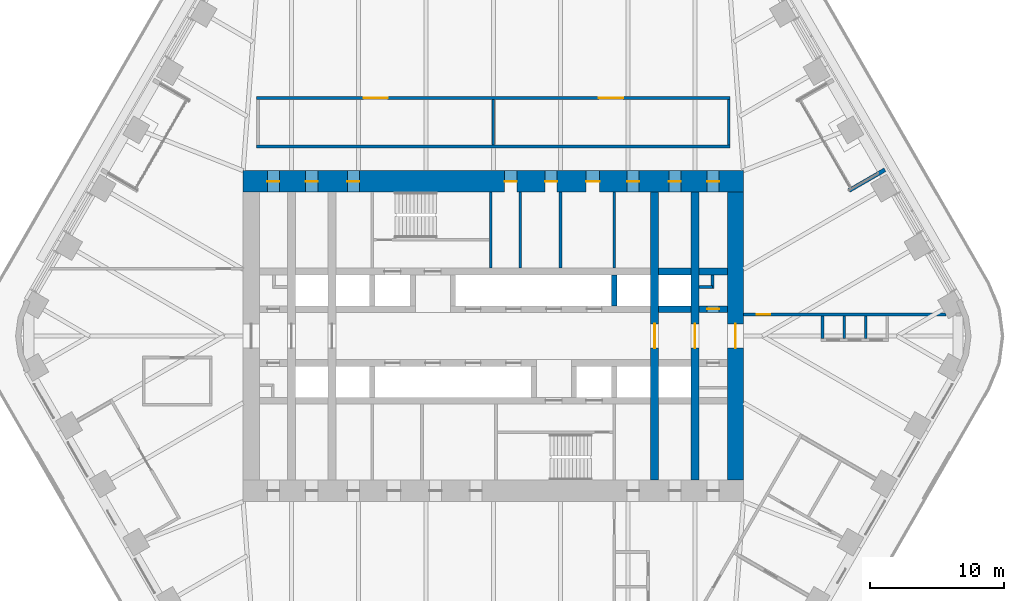
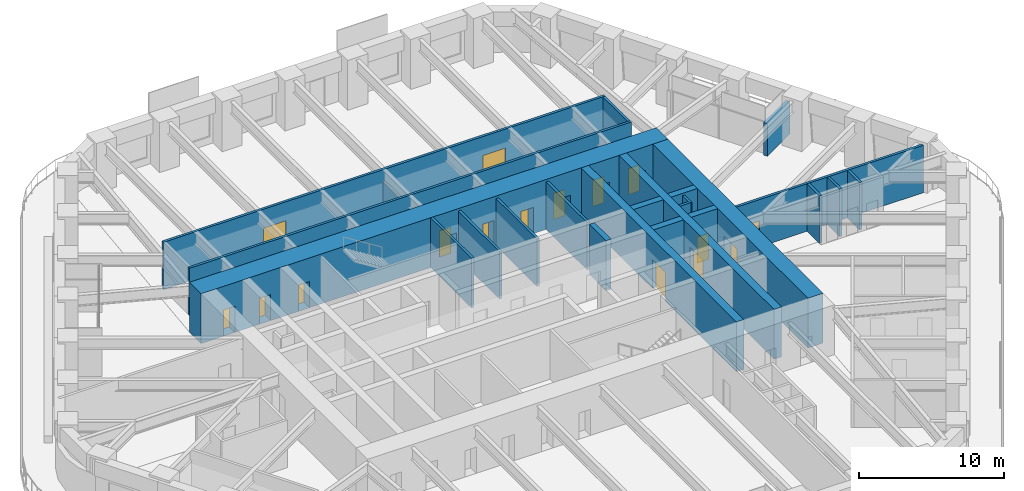
# One storey, part 20 of 24: 24 walls, 16 doors, 16 openings.
"""IFC4 building model written with IfcOpenShell, lengths in metres."""

from ifc_helpers import new_model, si_unit, direction, frame, frame_2d, origin, place, context, subcontext, project, spatial, rectangle, extrude, material, layer, layer_set, type_object, element, fill, save


model = new_model("IFC4")

# Units and contexts
model_context = context("Model", 3, precision=1e-05, world=origin(), true_north=direction((0.0, 1.0)))
body_context = subcontext(model_context, "Body", "Model", "MODEL_VIEW")
ifc_project = project(units=[si_unit("LENGTHUNIT", "METRE"), si_unit("AREAUNIT", "SQUARE_METRE"), si_unit("VOLUMEUNIT", "CUBIC_METRE"), si_unit("PLANEANGLEUNIT", "RADIAN"), si_unit("MASSUNIT", "GRAM", prefix="KILO")], contexts=[model_context])

# Site, building, storey
site_placement = place(None, origin())
site = spatial("IfcSite", under=ifc_project, at=site_placement, CompositionType="ELEMENT")
building_placement = place(site_placement, origin())
building = spatial("IfcBuilding", under=site, at=building_placement, Name="Tarfa Lantern Tower", CompositionType="ELEMENT")
storey_placement = place(building_placement, frame((0.0, 0.0, 169.89990234375)))
storey = spatial("IfcBuildingStorey", under=building, at=storey_placement, Name="L38", CompositionType="ELEMENT", Elevation=169.89990234375)

# Walls
ifc_material_1 = material(Name="Limestone cladding on blockwork", Category="masonry")
ifc_layer_1 = layer(ifc_material_1, 0.300048828125)
ifc_layer_set_1 = layer_set([ifc_layer_1], Name="EW1 STONE-CLAD WALL 300")
wall_type_1 = type_object("IfcWallType", Name="EW1 STONE-CLAD WALL 300", PredefinedType="SOLIDWALL", material=ifc_layer_set_1)
wall_1_placement = place(storey_placement, frame((29.1201171875, 12.362548828125, 0.0), z_axis=(0.0, 0.0, 1.0), x_axis=(-0.86602952684, -0.49999285859, 0.0)))
element("IfcWall", 1, at=wall_1_placement, inside=storey, type_object=wall_type_1, Name="Loggia return NE 1", PredefinedType="SOLIDWALL", context=body_context, shape_type="SweptSolid", body=[
    extrude(rectangle(XDim=3.10009765625, YDim=0.300048828125, at=frame_2d((1.550048828125, 0.0))), origin(), (0.0, 0.0, 1.0), 2.75),
])
ifc_material_2 = material(Name="Concrete blockwork", Category="masonry")
ifc_layer_2 = layer(ifc_material_2, 0.199951171875)
ifc_layer_set_2 = layer_set([ifc_layer_2], Name="IW1 BLOCKWORK PARTITION 200 EI 120")
wall_type_2 = type_object("IfcWallType", Name="IW1 BLOCKWORK PARTITION 200 EI 120", PredefinedType="PARTITIONING", material=ifc_layer_set_2)
for number, where, z_axis, x_axis, name in (
    (2, (9.0, 5.050048828125, 0.0), (0.0, 0.0, 1.0), (0.0, 1.0, 0.0), "Core partition"),
    (3, (2.0, 5.050048828125, 0.0), (0.0, 0.0, 1.0), (0.0, 1.0, 0.0), "Core partition"),
    (4, (5.0, 5.050048828125, 0.0), (0.0, 0.0, 1.0), (0.0, 1.0, 0.0), "Core partition"),
):
    element("IfcWall", number, at=place(storey_placement, frame(where, z_axis=z_axis, x_axis=x_axis)), inside=storey, type_object=wall_type_2, Name=name, PredefinedType="PARTITIONING", context=body_context, shape_type="SweptSolid", body=[
        extrude(rectangle(XDim=5.64990234375, YDim=0.199951171875, at=frame_2d((2.824951171875, 0.0))), origin(), (0.0, 0.0, 1.0), 4.0),
    ])
for number, where, z_axis, x_axis, name in (
    (5, (15.300048828125, 3.64990234375, 0.0), (0.0, 0.0, 1.0), (1.0, 0.0, 0.0), "Core partition"),
    (6, (16.300048828125, 3.550048828125, 0.0), (0.0, 0.0, 1.0), (0.0, 1.0, 0.0), "Core partition"),
):
    element("IfcWall", number, at=place(storey_placement, frame(where, z_axis=z_axis, x_axis=x_axis)), inside=storey, type_object=wall_type_2, Name=name, PredefinedType="PARTITIONING", context=body_context, shape_type="SweptSolid", body=[
        extrude(rectangle(XDim=1.0, YDim=0.199951171875, at=frame_2d((0.5, 0.0))), origin(), (0.0, 0.0, 1.0), 4.0),
    ])
ifc_material_3 = material(Name="Gypsum board on steel studs", Category="steel")
ifc_layer_3 = layer(ifc_material_3, 0.2099609375)
ifc_layer_set_3 = layer_set([ifc_layer_3], Name="IW2 ACOUSTIC PARTITION 200")
wall_type_3 = type_object("IfcWallType", Name="IW2 ACOUSTIC PARTITION 200", PredefinedType="PARTITIONING", material=ifc_layer_set_3)
wall_2_placement = place(storey_placement, frame((-17.60009765625, 14.10009765625, 0.0), z_axis=(0.0, 0.0, 1.0), x_axis=(1.0, 0.0, 0.0)))
element("IfcWall", 7, at=wall_2_placement, inside=storey, type_object=wall_type_3, Name="Partition", PredefinedType="PARTITIONING", context=body_context, shape_type="SweptSolid", body=[
    extrude(rectangle(XDim=35.2001953125, YDim=0.199951171875, at=frame_2d((17.60009765625, 0.0))), origin(), (0.0, 0.0, 1.0), 4.0),
])

# Wall, openings, doors
wall_3_placement = place(storey_placement, frame((-17.60009765625, 17.699951171875, 0.0), z_axis=(0.0, 0.0, 1.0), x_axis=(1.0, 0.0, 0.0)))
wall_3 = element("IfcWall", 8, at=wall_3_placement, inside=storey, type_object=wall_type_3, Name="Partition", PredefinedType="PARTITIONING", context=body_context, shape_type="SweptSolid", body=[
    extrude(rectangle(XDim=35.2001953125, YDim=0.199951171875, at=frame_2d((17.60009765625, 0.0))), origin(), (0.0, 0.0, 1.0), 4.0),
])
opening_1_placement = place(wall_3_placement, frame((7.949951171875, 0.0, 0.0)))
opening_1 = element("IfcOpeningElement", 9, at=opening_1_placement, cuts=wall_3, Name="Opening D39", PredefinedType="OPENING", context=body_context, shape_type="SweptSolid", body=[
    extrude(rectangle(XDim=1.800048828125, YDim=2.39990234375, at=frame_2d((0.89990234375, 1.199951171875))), frame((0.0, 0.10986328125, 0.0), z_axis=(0.0, -1.0, 0.0), x_axis=(1.0, 0.0, 0.0)), (0.0, 0.0, 1.0), 0.219970703125),
])
opening_2_placement = place(wall_3_placement, frame((25.449951171875, 0.0, 0.0)))
opening_2 = element("IfcOpeningElement", 10, at=opening_2_placement, cuts=wall_3, Name="Opening D40", PredefinedType="OPENING", context=body_context, shape_type="SweptSolid", body=[
    extrude(rectangle(XDim=1.800048828125, YDim=2.39990234375, at=frame_2d((0.89990234375, 1.199951171875))), frame((0.0, 0.10986328125, 0.0), z_axis=(0.0, -1.0, 0.0), x_axis=(1.0, 0.0, 0.0)), (0.0, 0.0, 1.0), 0.219970703125),
])
ifc_material_4 = material(Name="Timber door", Category="wood")
door_type_1 = type_object("IfcDoorType", Name="DR2 ROOM DOOR 1800x2400", OperationType="DOUBLE_DOOR_SINGLE_SWING", PredefinedType="DOOR", material=ifc_material_4)
door_1_placement = place(opening_1_placement, frame((1.800048828125, 0.0, 0.0), z_axis=(0.0, 0.0, 1.0), x_axis=(-1.0, 0.0, 0.0)))
door_1 = element("IfcDoor", 11, at=door_1_placement, inside=storey, type_object=door_type_1, Name="Interview room door", OperationType="DOUBLE_DOOR_SINGLE_SWING", OverallHeight=2.39990234375, OverallWidth=1.800048828125, PredefinedType="DOOR", context=body_context, shape_type="SweptSolid", body=[
    extrude(rectangle(XDim=1.800048828125, YDim=2.39990234375, at=frame_2d((0.89990234375, 1.199951171875))), frame((0.0, 0.02490234375, 0.0), z_axis=(0.0, -1.0, 0.0), x_axis=(1.0, 0.0, 0.0)), (0.0, 0.0, 1.0), 0.050048828125),
])
fill(opening_1, door_1)
door_2_placement = place(opening_2_placement, frame((1.800048828125, 0.0, 0.0), z_axis=(0.0, 0.0, 1.0), x_axis=(-1.0, 0.0, 0.0)))
door_2 = element("IfcDoor", 12, at=door_2_placement, inside=storey, type_object=door_type_1, Name="Interview room door", OperationType="DOUBLE_DOOR_SINGLE_SWING", OverallHeight=2.39990234375, OverallWidth=1.800048828125, PredefinedType="DOOR", context=body_context, shape_type="SweptSolid", body=[
    extrude(rectangle(XDim=1.800048828125, YDim=2.39990234375, at=frame_2d((0.89990234375, 1.199951171875))), frame((0.0, 0.02490234375, 0.0), z_axis=(0.0, -1.0, 0.0), x_axis=(1.0, 0.0, 0.0)), (0.0, 0.0, 1.0), 0.050048828125),
])
fill(opening_2, door_2)

# Walls
wall_4_placement = place(storey_placement, frame((0.0, 14.199951171875, 0.0), z_axis=(0.0, 0.0, 1.0), x_axis=(0.0, 1.0, 0.0)))
element("IfcWall", 13, at=wall_4_placement, inside=storey, type_object=wall_type_3, Name="Partition", PredefinedType="PARTITIONING", context=body_context, shape_type="SweptSolid", body=[
    extrude(rectangle(XDim=3.400146484375, YDim=0.199951171875, at=frame_2d((1.7001953125, 0.0))), origin(), (0.0, 0.0, 1.0), 2.991943359375),
])
wall_5_placement = place(storey_placement, frame((17.5, 14.199951171875, 0.0), z_axis=(0.0, 0.0, 1.0), x_axis=(0.0, 1.0, 0.0)))
element("IfcWall", 14, at=wall_5_placement, inside=storey, type_object=wall_type_3, Name="Partition", PredefinedType="PARTITIONING", context=body_context, shape_type="SweptSolid", body=[
    extrude(rectangle(XDim=3.400146484375, YDim=0.199951171875, at=frame_2d((1.7001953125, 0.0))), origin(), (0.0, 0.0, 1.0), 4.0),
])

# Wall, opening, door
wall_6_placement = place(storey_placement, frame((18.60009765625, 1.60009765625, 0.0), z_axis=(0.0, 0.0, 1.0), x_axis=(1.0, 0.0, 0.0)))
wall_6 = element("IfcWall", 15, at=wall_6_placement, inside=storey, type_object=wall_type_3, Name="Partition", PredefinedType="PARTITIONING", context=body_context, shape_type="SweptSolid", body=[
    extrude(rectangle(XDim=15.059326171875, YDim=0.199951171875, at=frame_2d((7.52978515625, 0.0))), origin(), (0.0, 0.0, 1.0), 4.0),
])
opening_3_placement = place(wall_6_placement, frame((1.005859375, 0.0, 0.0)))
opening_3 = element("IfcOpeningElement", 16, at=opening_3_placement, cuts=wall_6, Name="Opening D47", PredefinedType="OPENING", context=body_context, shape_type="SweptSolid", body=[
    extrude(rectangle(XDim=1.0, YDim=2.199951171875, at=frame_2d((0.5, 1.10009765625))), frame((0.0, 0.10986328125, 0.0), z_axis=(0.0, -1.0, 0.0), x_axis=(1.0, 0.0, 0.0)), (0.0, 0.0, 1.0), 0.219970703125),
])
door_type_2 = type_object("IfcDoorType", Name="DR1 ROOM DOOR 1000x2200", OperationType="SINGLE_SWING_LEFT", PredefinedType="DOOR", material=ifc_material_4)
door_3_placement = place(opening_3_placement, frame((1.0, 0.0, 0.0), z_axis=(0.0, 0.0, 1.0), x_axis=(-1.0, 0.0, 0.0)))
door_3 = element("IfcDoor", 17, at=door_3_placement, inside=storey, type_object=door_type_2, Name="Zone door", OperationType="SINGLE_SWING_LEFT", OverallHeight=2.199951171875, OverallWidth=1.0, PredefinedType="DOOR", context=body_context, shape_type="SweptSolid", body=[
    extrude(rectangle(XDim=1.0, YDim=2.199951171875, at=frame_2d((0.5, 1.10009765625))), frame((0.0, 0.02490234375, 0.0), z_axis=(0.0, -1.0, 0.0), x_axis=(1.0, 0.0, 0.0)), (0.0, 0.0, 1.0), 0.050048828125),
])
fill(opening_3, door_3)

# Walls
for number, where, z_axis, x_axis, name in (
    (18, (24.482666015625, 1.5, 0.0), (0.0, 0.0, 1.0), (0.0, -1.0, 0.0), "Partition"),
    (19, (26.082763671875, 1.5, 0.0), (0.0, 0.0, 1.0), (0.0, -1.0, 0.0), "Partition"),
    (20, (27.6826171875, 1.5, 0.0), (0.0, 0.0, 1.0), (0.0, -1.0, 0.0), "Partition"),
):
    element("IfcWall", number, at=place(storey_placement, frame(where, z_axis=z_axis, x_axis=x_axis)), inside=storey, type_object=wall_type_3, Name=name, PredefinedType="PARTITIONING", context=body_context, shape_type="SweptSolid", body=[
        extrude(rectangle(XDim=1.699951171875, YDim=0.199951171875, at=frame_2d((0.85009765625, 0.0))), origin(), (0.0, 0.0, 1.0), 4.0),
    ])

# Wall, opening, door
ifc_material_5 = material(Name="Concrete C80/95", Category="concrete")
ifc_layer_4 = layer(ifc_material_5, 1.199951171875)
ifc_layer_set_4 = layer_set([ifc_layer_4], Name="SW1 CORE WALL 1200")
wall_type_4 = type_object("IfcWallType", Name="SW1 CORE WALL 1200", PredefinedType="SHEAR", material=ifc_layer_set_4)
wall_7_placement = place(storey_placement, frame((18.0, -10.699951171875, 0.0), z_axis=(0.0, 0.0, 1.0), x_axis=(0.0, 1.0, 0.0)))
wall_7 = element("IfcWall", 21, at=wall_7_placement, inside=storey, type_object=wall_type_4, Name="Core wall E", PredefinedType="SHEAR", context=body_context, shape_type="SweptSolid", body=[
    extrude(rectangle(XDim=21.39990234375, YDim=1.199951171875, at=frame_2d((10.699951171875, 0.0))), origin(), (0.0, 0.0, 1.0), 4.2001953125),
])
opening_4_placement = place(wall_7_placement, frame((9.800048828125, 0.0, 0.0)))
opening_4 = element("IfcOpeningElement", 22, at=opening_4_placement, cuts=wall_7, Name="Opening D15", PredefinedType="OPENING", context=body_context, shape_type="SweptSolid", body=[
    extrude(rectangle(XDim=1.800048828125, YDim=2.39990234375, at=frame_2d((0.89990234375, 1.199951171875))), frame((0.0, 0.60986328125, 0.0), z_axis=(0.0, -1.0, 0.0), x_axis=(1.0, 0.0, 0.0)), (0.0, 0.0, 1.0), 1.219970703125),
])
ifc_material_6 = material(Name="Steel fire door", Category="steel")
door_type_3 = type_object("IfcDoorType", Name="DL1 LOBBY DOOR 1800x2400", OperationType="DOUBLE_DOOR_SINGLE_SWING", PredefinedType="DOOR", material=ifc_material_6)
door_4_placement = place(opening_4_placement, frame((1.800048828125, 0.0, 0.0), z_axis=(0.0, 0.0, 1.0), x_axis=(-1.0, 0.0, 0.0)))
door_4 = element("IfcDoor", 23, at=door_4_placement, inside=storey, type_object=door_type_3, Name="Lift lobby door", OperationType="DOUBLE_DOOR_SINGLE_SWING", OverallHeight=2.39990234375, OverallWidth=1.800048828125, PredefinedType="DOOR", context=body_context, shape_type="SweptSolid", body=[
    extrude(rectangle(XDim=1.800048828125, YDim=2.39990234375, at=frame_2d((0.89990234375, 1.199951171875))), frame((0.0, 0.02490234375, 0.0), z_axis=(0.0, -1.0, 0.0), x_axis=(1.0, 0.0, 0.0)), (0.0, 0.0, 1.0), 0.050048828125),
])
fill(opening_4, door_4)

# Walls
ifc_layer_5 = layer(ifc_material_5, 0.199951171875)
ifc_layer_set_5 = layer_set([ifc_layer_5], Name="SW12 CORE WALL 200")
wall_type_5 = type_object("IfcWallType", Name="SW12 CORE WALL 200", PredefinedType="SHEAR", material=ifc_layer_set_5)
wall_8_placement = place(storey_placement, frame((-0.199951171875, 5.050048828125, 0.0), z_axis=(0.0, 0.0, 1.0), x_axis=(0.0, 1.0, 0.0)))
element("IfcWall", 24, at=wall_8_placement, inside=storey, type_object=wall_type_5, Name="Core wall stair shaft N", PredefinedType="SHEAR", context=body_context, shape_type="SweptSolid", body=[
    extrude(rectangle(XDim=5.64990234375, YDim=0.199951171875, at=frame_2d((2.824951171875, 0.0))), origin(), (0.0, 0.0, 1.0), 4.2001953125),
])
ifc_layer_6 = layer(ifc_material_5, 0.5)
ifc_layer_set_6 = layer_set([ifc_layer_6], Name="SW5 CORE WALL 500")
wall_type_6 = type_object("IfcWallType", Name="SW5 CORE WALL 500", PredefinedType="SHEAR", material=ifc_layer_set_6)
wall_9_placement = place(storey_placement, frame((12.300048828125, 2.0, 0.0), z_axis=(0.0, 0.0, 1.0), x_axis=(1.0, 0.0, 0.0)))
element("IfcWall", 25, at=wall_9_placement, inside=storey, type_object=wall_type_6, Name="Core wall lobby east N", PredefinedType="SHEAR", context=body_context, shape_type="SweptSolid", body=[
    extrude(rectangle(XDim=2.39990234375, YDim=0.5, at=frame_2d((1.199951171875, 0.0))), origin(), (0.0, 0.0, 1.0), 4.2001953125),
])

# Wall, opening, door
wall_10_placement = place(storey_placement, frame((15.300048828125, 2.0, 0.0), z_axis=(0.0, 0.0, 1.0), x_axis=(1.0, 0.0, 0.0)))
wall_10 = element("IfcWall", 26, at=wall_10_placement, inside=storey, type_object=wall_type_6, Name="Core wall lobby east N", PredefinedType="SHEAR", context=body_context, shape_type="SweptSolid", body=[
    extrude(rectangle(XDim=2.099853515625, YDim=0.5, at=frame_2d((1.0498046875, 0.0))), origin(), (0.0, 0.0, 1.0), 4.2001953125),
])
opening_5_placement = place(wall_10_placement, frame((0.60009765625, 0.0, 0.0)))
opening_5 = element("IfcOpeningElement", 27, at=opening_5_placement, cuts=wall_10, Name="Opening D17", PredefinedType="OPENING", context=body_context, shape_type="SweptSolid", body=[
    extrude(rectangle(XDim=0.89990234375, YDim=2.199951171875, at=frame_2d((0.449951171875, 1.10009765625))), frame((0.0, 0.260009765625, 0.0), z_axis=(0.0, -1.0, 0.0), x_axis=(1.0, 0.0, 0.0)), (0.0, 0.0, 1.0), 0.52001953125),
])
door_type_4 = type_object("IfcDoorType", Name="DF6 SERVICE ROOM DOOR 900x2200", OperationType="SINGLE_SWING_LEFT", PredefinedType="DOOR", material=ifc_material_6)
door_5_placement = place(opening_5_placement, origin())
door_5 = element("IfcDoor", 28, at=door_5_placement, inside=storey, type_object=door_type_4, Name="Service room door", OperationType="SINGLE_SWING_LEFT", OverallHeight=2.199951171875, OverallWidth=0.89990234375, PredefinedType="DOOR", context=body_context, shape_type="SweptSolid", body=[
    extrude(rectangle(XDim=0.89990234375, YDim=2.199951171875, at=frame_2d((0.449951171875, 1.10009765625))), frame((0.0, 0.02490234375, 0.0), z_axis=(0.0, -1.0, 0.0), x_axis=(1.0, 0.0, 0.0)), (0.0, 0.0, 1.0), 0.050048828125),
])
fill(opening_5, door_5)

# Walls
wall_11_placement = place(storey_placement, frame((12.300048828125, 4.800048828125, 0.0), z_axis=(0.0, 0.0, 1.0), x_axis=(1.0, 0.0, 0.0)))
element("IfcWall", 29, at=wall_11_placement, inside=storey, type_object=wall_type_6, Name="Core wall rear N", PredefinedType="SHEAR", context=body_context, shape_type="SweptSolid", body=[
    extrude(rectangle(XDim=2.39990234375, YDim=0.5, at=frame_2d((1.199951171875, 0.0))), origin(), (0.0, 0.0, 1.0), 4.2001953125),
])
wall_12_placement = place(storey_placement, frame((15.300048828125, 4.800048828125, 0.0), z_axis=(0.0, 0.0, 1.0), x_axis=(1.0, 0.0, 0.0)))
element("IfcWall", 30, at=wall_12_placement, inside=storey, type_object=wall_type_6, Name="Core wall rear N", PredefinedType="SHEAR", context=body_context, shape_type="SweptSolid", body=[
    extrude(rectangle(XDim=2.099853515625, YDim=0.5, at=frame_2d((1.0498046875, 0.0))), origin(), (0.0, 0.0, 1.0), 4.2001953125),
])
ifc_layer_7 = layer(ifc_material_5, 0.39990234375)
ifc_layer_set_7 = layer_set([ifc_layer_7], Name="SW6 CORE WALL 400")
wall_type_7 = type_object("IfcWallType", Name="SW6 CORE WALL 400", PredefinedType="SHEAR", material=ifc_layer_set_7)
wall_13_placement = place(storey_placement, frame((9.0, 2.25, 0.0), z_axis=(0.0, 0.0, 1.0), x_axis=(0.0, 1.0, 0.0)))
element("IfcWall", 31, at=wall_13_placement, inside=storey, type_object=wall_type_7, Name="Core wall divider N", PredefinedType="SHEAR", context=body_context, shape_type="SweptSolid", body=[
    extrude(rectangle(XDim=2.300048828125, YDim=0.39990234375, at=frame_2d((1.14990234375, 0.0))), origin(), (0.0, 0.0, 1.0), 4.2001953125),
])

# Wall, openings, doors
ifc_layer_8 = layer(ifc_material_5, 1.60009765625)
ifc_layer_set_8 = layer_set([ifc_layer_8], Name="SW7 CORE WALL 1600")
wall_type_8 = type_object("IfcWallType", Name="SW7 CORE WALL 1600", PredefinedType="SHEAR", material=ifc_layer_set_8)
wall_14_placement = place(storey_placement, frame((-18.60009765625, 11.5, 0.0), z_axis=(0.0, 0.0, 1.0), x_axis=(1.0, 0.0, 0.0)))
wall_14 = element("IfcWall", 32, at=wall_14_placement, inside=storey, type_object=wall_type_8, Name="Core wall N", PredefinedType="SHEAR", context=body_context, shape_type="SweptSolid", body=[
    extrude(rectangle(XDim=37.2001953125, YDim=1.60009765625, at=frame_2d((18.60009765625, 0.0))), origin(), (0.0, 0.0, 1.0), 4.2001953125),
])
opening_6_placement = place(wall_14_placement, frame((19.449951171875, 0.0, 0.0)))
opening_6 = element("IfcOpeningElement", 33, at=opening_6_placement, cuts=wall_14, Name="Opening D21", PredefinedType="OPENING", context=body_context, shape_type="SweptSolid", body=[
    extrude(rectangle(XDim=0.89990234375, YDim=2.199951171875, at=frame_2d((0.449951171875, 1.10009765625))), frame((0.0, 0.81005859375, 0.0), z_axis=(0.0, -1.0, 0.0), x_axis=(1.0, 0.0, 0.0)), (0.0, 0.0, 1.0), 1.6201171875),
])
opening_7_placement = place(wall_14_placement, frame((22.449951171875, 0.0, 0.0)))
opening_7 = element("IfcOpeningElement", 34, at=opening_7_placement, cuts=wall_14, Name="Opening D23", PredefinedType="OPENING", context=body_context, shape_type="SweptSolid", body=[
    extrude(rectangle(XDim=0.89990234375, YDim=2.199951171875, at=frame_2d((0.449951171875, 1.10009765625))), frame((0.0, 0.81005859375, 0.0), z_axis=(0.0, -1.0, 0.0), x_axis=(1.0, 0.0, 0.0)), (0.0, 0.0, 1.0), 1.6201171875),
])
opening_8_placement = place(wall_14_placement, frame((25.5, 0.0, 0.0)))
opening_8 = element("IfcOpeningElement", 35, at=opening_8_placement, cuts=wall_14, Name="Opening D25", PredefinedType="OPENING", context=body_context, shape_type="SweptSolid", body=[
    extrude(rectangle(XDim=1.0, YDim=2.199951171875, at=frame_2d((0.5, 1.10009765625))), frame((0.0, 0.81005859375, 0.0), z_axis=(0.0, -1.0, 0.0), x_axis=(1.0, 0.0, 0.0)), (0.0, 0.0, 1.0), 1.6201171875),
])
opening_9_placement = place(wall_14_placement, frame((1.800048828125, 0.0, 0.0)))
opening_9 = element("IfcOpeningElement", 36, at=opening_9_placement, cuts=wall_14, Name="Opening D11", PredefinedType="OPENING", context=body_context, shape_type="SweptSolid", body=[
    extrude(rectangle(XDim=0.89990234375, YDim=2.199951171875, at=frame_2d((0.449951171875, 1.10009765625))), frame((0.0, 0.81005859375, 0.0), z_axis=(0.0, -1.0, 0.0), x_axis=(1.0, 0.0, 0.0)), (0.0, 0.0, 1.0), 1.6201171875),
])
opening_10_placement = place(wall_14_placement, frame((4.64990234375, 0.0, 0.0)))
opening_10 = element("IfcOpeningElement", 37, at=opening_10_placement, cuts=wall_14, Name="Opening D07", PredefinedType="OPENING", context=body_context, shape_type="SweptSolid", body=[
    extrude(rectangle(XDim=0.89990234375, YDim=2.199951171875, at=frame_2d((0.449951171875, 1.10009765625))), frame((0.0, 0.81005859375, 0.0), z_axis=(0.0, -1.0, 0.0), x_axis=(1.0, 0.0, 0.0)), (0.0, 0.0, 1.0), 1.6201171875),
])
opening_11_placement = place(wall_14_placement, frame((7.75, 0.0, 0.0)))
opening_11 = element("IfcOpeningElement", 38, at=opening_11_placement, cuts=wall_14, Name="Opening D09", PredefinedType="OPENING", context=body_context, shape_type="SweptSolid", body=[
    extrude(rectangle(XDim=0.89990234375, YDim=2.199951171875, at=frame_2d((0.449951171875, 1.10009765625))), frame((0.0, 0.81005859375, 0.0), z_axis=(0.0, -1.0, 0.0), x_axis=(1.0, 0.0, 0.0)), (0.0, 0.0, 1.0), 1.6201171875),
])
opening_12_placement = place(wall_14_placement, frame((28.550048828125, 0.0, 0.0)))
opening_12 = element("IfcOpeningElement", 39, at=opening_12_placement, cuts=wall_14, Name="Opening D05", PredefinedType="OPENING", context=body_context, shape_type="SweptSolid", body=[
    extrude(rectangle(XDim=0.89990234375, YDim=2.199951171875, at=frame_2d((0.449951171875, 1.10009765625))), frame((0.0, 0.81005859375, 0.0), z_axis=(0.0, -1.0, 0.0), x_axis=(1.0, 0.0, 0.0)), (0.0, 0.0, 1.0), 1.6201171875),
])
opening_13_placement = place(wall_14_placement, frame((31.64990234375, 0.0, 0.0)))
opening_13 = element("IfcOpeningElement", 40, at=opening_13_placement, cuts=wall_14, Name="Opening D01", PredefinedType="OPENING", context=body_context, shape_type="SweptSolid", body=[
    extrude(rectangle(XDim=0.89990234375, YDim=2.199951171875, at=frame_2d((0.449951171875, 1.10009765625))), frame((0.0, 0.81005859375, 0.0), z_axis=(0.0, -1.0, 0.0), x_axis=(1.0, 0.0, 0.0)), (0.0, 0.0, 1.0), 1.6201171875),
])
opening_14_placement = place(wall_14_placement, frame((34.5, 0.0, 0.0)))
opening_14 = element("IfcOpeningElement", 41, at=opening_14_placement, cuts=wall_14, Name="Opening D03", PredefinedType="OPENING", context=body_context, shape_type="SweptSolid", body=[
    extrude(rectangle(XDim=0.89990234375, YDim=2.199951171875, at=frame_2d((0.449951171875, 1.10009765625))), frame((0.0, 0.81005859375, 0.0), z_axis=(0.0, -1.0, 0.0), x_axis=(1.0, 0.0, 0.0)), (0.0, 0.0, 1.0), 1.6201171875),
])
door_type_5 = type_object("IfcDoorType", Name="DF3 CORE ROOM DOOR 900x2200", OperationType="SINGLE_SWING_LEFT", PredefinedType="DOOR", material=ifc_material_6)
door_6_placement = place(opening_6_placement, frame((0.89990234375, 0.0, 0.0), z_axis=(0.0, 0.0, 1.0), x_axis=(-1.0, 0.0, 0.0)))
door_6 = element("IfcDoor", 42, at=door_6_placement, inside=storey, type_object=door_type_5, Name="Core door", OperationType="SINGLE_SWING_RIGHT", OverallHeight=2.199951171875, OverallWidth=0.89990234375, PredefinedType="DOOR", context=body_context, shape_type="SweptSolid", body=[
    extrude(rectangle(XDim=0.89990234375, YDim=2.199951171875, at=frame_2d((0.449951171875, 1.10009765625))), frame((0.0, 0.02490234375, 0.0), z_axis=(0.0, -1.0, 0.0), x_axis=(1.0, 0.0, 0.0)), (0.0, 0.0, 1.0), 0.050048828125),
])
fill(opening_6, door_6)
door_7_placement = place(opening_7_placement, frame((0.89990234375, 0.0, 0.0), z_axis=(0.0, 0.0, 1.0), x_axis=(-1.0, 0.0, 0.0)))
door_7 = element("IfcDoor", 43, at=door_7_placement, inside=storey, type_object=door_type_5, Name="Core door", OperationType="SINGLE_SWING_RIGHT", OverallHeight=2.199951171875, OverallWidth=0.89990234375, PredefinedType="DOOR", context=body_context, shape_type="SweptSolid", body=[
    extrude(rectangle(XDim=0.89990234375, YDim=2.199951171875, at=frame_2d((0.449951171875, 1.10009765625))), frame((0.0, 0.02490234375, 0.0), z_axis=(0.0, -1.0, 0.0), x_axis=(1.0, 0.0, 0.0)), (0.0, 0.0, 1.0), 0.050048828125),
])
fill(opening_7, door_7)
door_type_6 = type_object("IfcDoorType", Name="DF4 CORE ROOM DOOR 1000x2200", OperationType="SINGLE_SWING_LEFT", PredefinedType="DOOR", material=ifc_material_6)
door_8_placement = place(opening_8_placement, frame((1.0, 0.0, 0.0), z_axis=(0.0, 0.0, 1.0), x_axis=(-1.0, 0.0, 0.0)))
door_8 = element("IfcDoor", 44, at=door_8_placement, inside=storey, type_object=door_type_6, Name="Core door", OperationType="SINGLE_SWING_RIGHT", OverallHeight=2.199951171875, OverallWidth=1.0, PredefinedType="DOOR", context=body_context, shape_type="SweptSolid", body=[
    extrude(rectangle(XDim=1.0, YDim=2.199951171875, at=frame_2d((0.5, 1.10009765625))), frame((0.0, 0.02490234375, 0.0), z_axis=(0.0, -1.0, 0.0), x_axis=(1.0, 0.0, 0.0)), (0.0, 0.0, 1.0), 0.050048828125),
])
fill(opening_8, door_8)
door_type_7 = type_object("IfcDoorType", Name="DF5 RISER DOOR 900x2200", OperationType="SINGLE_SWING_LEFT", PredefinedType="DOOR", material=ifc_material_6)
door_9_placement = place(opening_9_placement, frame((0.89990234375, 0.0, 0.0), z_axis=(0.0, 0.0, 1.0), x_axis=(-1.0, 0.0, 0.0)))
door_9 = element("IfcDoor", 45, at=door_9_placement, inside=storey, type_object=door_type_7, Name="Riser door", OperationType="SINGLE_SWING_LEFT", OverallHeight=2.199951171875, OverallWidth=0.89990234375, PredefinedType="DOOR", context=body_context, shape_type="SweptSolid", body=[
    extrude(rectangle(XDim=0.89990234375, YDim=2.199951171875, at=frame_2d((0.449951171875, 1.10009765625))), frame((0.0, 0.02490234375, 0.0), z_axis=(0.0, -1.0, 0.0), x_axis=(1.0, 0.0, 0.0)), (0.0, 0.0, 1.0), 0.050048828125),
])
fill(opening_9, door_9)
door_10_placement = place(opening_10_placement, frame((0.89990234375, 0.0, 0.0), z_axis=(0.0, 0.0, 1.0), x_axis=(-1.0, 0.0, 0.0)))
door_10 = element("IfcDoor", 46, at=door_10_placement, inside=storey, type_object=door_type_7, Name="Riser door", OperationType="SINGLE_SWING_LEFT", OverallHeight=2.199951171875, OverallWidth=0.89990234375, PredefinedType="DOOR", context=body_context, shape_type="SweptSolid", body=[
    extrude(rectangle(XDim=0.89990234375, YDim=2.199951171875, at=frame_2d((0.449951171875, 1.10009765625))), frame((0.0, 0.02490234375, 0.0), z_axis=(0.0, -1.0, 0.0), x_axis=(1.0, 0.0, 0.0)), (0.0, 0.0, 1.0), 0.050048828125),
])
fill(opening_10, door_10)
door_11_placement = place(opening_11_placement, frame((0.89990234375, 0.0, 0.0), z_axis=(0.0, 0.0, 1.0), x_axis=(-1.0, 0.0, 0.0)))
door_11 = element("IfcDoor", 47, at=door_11_placement, inside=storey, type_object=door_type_7, Name="Riser door", OperationType="SINGLE_SWING_LEFT", OverallHeight=2.199951171875, OverallWidth=0.89990234375, PredefinedType="DOOR", context=body_context, shape_type="SweptSolid", body=[
    extrude(rectangle(XDim=0.89990234375, YDim=2.199951171875, at=frame_2d((0.449951171875, 1.10009765625))), frame((0.0, 0.02490234375, 0.0), z_axis=(0.0, -1.0, 0.0), x_axis=(1.0, 0.0, 0.0)), (0.0, 0.0, 1.0), 0.050048828125),
])
fill(opening_11, door_11)
door_12_placement = place(opening_12_placement, frame((0.89990234375, 0.0, 0.0), z_axis=(0.0, 0.0, 1.0), x_axis=(-1.0, 0.0, 0.0)))
door_12 = element("IfcDoor", 48, at=door_12_placement, inside=storey, type_object=door_type_7, Name="Riser door", OperationType="SINGLE_SWING_RIGHT", OverallHeight=2.199951171875, OverallWidth=0.89990234375, PredefinedType="DOOR", context=body_context, shape_type="SweptSolid", body=[
    extrude(rectangle(XDim=0.89990234375, YDim=2.199951171875, at=frame_2d((0.449951171875, 1.10009765625))), frame((0.0, 0.02490234375, 0.0), z_axis=(0.0, -1.0, 0.0), x_axis=(1.0, 0.0, 0.0)), (0.0, 0.0, 1.0), 0.050048828125),
])
fill(opening_12, door_12)
door_13_placement = place(opening_13_placement, frame((0.89990234375, 0.0, 0.0), z_axis=(0.0, 0.0, 1.0), x_axis=(-1.0, 0.0, 0.0)))
door_13 = element("IfcDoor", 49, at=door_13_placement, inside=storey, type_object=door_type_7, Name="Riser door", OperationType="SINGLE_SWING_RIGHT", OverallHeight=2.199951171875, OverallWidth=0.89990234375, PredefinedType="DOOR", context=body_context, shape_type="SweptSolid", body=[
    extrude(rectangle(XDim=0.89990234375, YDim=2.199951171875, at=frame_2d((0.449951171875, 1.10009765625))), frame((0.0, 0.02490234375, 0.0), z_axis=(0.0, -1.0, 0.0), x_axis=(1.0, 0.0, 0.0)), (0.0, 0.0, 1.0), 0.050048828125),
])
fill(opening_13, door_13)
door_14_placement = place(opening_14_placement, frame((0.89990234375, 0.0, 0.0), z_axis=(0.0, 0.0, 1.0), x_axis=(-1.0, 0.0, 0.0)))
door_14 = element("IfcDoor", 50, at=door_14_placement, inside=storey, type_object=door_type_7, Name="Riser door", OperationType="SINGLE_SWING_RIGHT", OverallHeight=2.199951171875, OverallWidth=0.89990234375, PredefinedType="DOOR", context=body_context, shape_type="SweptSolid", body=[
    extrude(rectangle(XDim=0.89990234375, YDim=2.199951171875, at=frame_2d((0.449951171875, 1.10009765625))), frame((0.0, 0.02490234375, 0.0), z_axis=(0.0, -1.0, 0.0), x_axis=(1.0, 0.0, 0.0)), (0.0, 0.0, 1.0), 0.050048828125),
])
fill(opening_14, door_14)

# Wall, opening, door
ifc_layer_9 = layer(ifc_material_5, 0.60009765625)
ifc_layer_set_9 = layer_set([ifc_layer_9], Name="SW9 CORE WALL 600")
wall_type_9 = type_object("IfcWallType", Name="SW9 CORE WALL 600", PredefinedType="SHEAR", material=ifc_layer_set_9)
wall_15_placement = place(storey_placement, frame((12.0, -10.699951171875, 0.0), z_axis=(0.0, 0.0, 1.0), x_axis=(0.0, 1.0, 0.0)))
wall_15 = element("IfcWall", 51, at=wall_15_placement, inside=storey, type_object=wall_type_9, Name="Core wall cross 12 m east", PredefinedType="SHEAR", context=body_context, shape_type="SweptSolid", body=[
    extrude(rectangle(XDim=21.39990234375, YDim=0.60009765625, at=frame_2d((10.699951171875, 0.0))), origin(), (0.0, 0.0, 1.0), 4.2001953125),
])
opening_15_placement = place(wall_15_placement, frame((9.800048828125, 0.0, 0.0)))
opening_15 = element("IfcOpeningElement", 52, at=opening_15_placement, cuts=wall_15, Name="Opening D29", PredefinedType="OPENING", context=body_context, shape_type="SweptSolid", body=[
    extrude(rectangle(XDim=1.800048828125, YDim=2.39990234375, at=frame_2d((0.89990234375, 1.199951171875))), frame((0.0, 0.31005859375, 0.0), z_axis=(0.0, -1.0, 0.0), x_axis=(1.0, 0.0, 0.0)), (0.0, 0.0, 1.0), 0.6201171875),
])
door_15_placement = place(opening_15_placement, origin())
door_15 = element("IfcDoor", 53, at=door_15_placement, inside=storey, type_object=door_type_3, Name="Lift lobby door", OperationType="DOUBLE_DOOR_SINGLE_SWING", OverallHeight=2.39990234375, OverallWidth=1.800048828125, PredefinedType="DOOR", context=body_context, shape_type="SweptSolid", body=[
    extrude(rectangle(XDim=1.800048828125, YDim=2.39990234375, at=frame_2d((0.89990234375, 1.199951171875))), frame((0.0, 0.02490234375, 0.0), z_axis=(0.0, -1.0, 0.0), x_axis=(1.0, 0.0, 0.0)), (0.0, 0.0, 1.0), 0.050048828125),
])
fill(opening_15, door_15)

wall_16_placement = place(storey_placement, frame((15.0, -10.699951171875, 0.0), z_axis=(0.0, 0.0, 1.0), x_axis=(0.0, 1.0, 0.0)))
wall_16 = element("IfcWall", 54, at=wall_16_placement, inside=storey, type_object=wall_type_9, Name="Core wall cross 15 m east", PredefinedType="SHEAR", context=body_context, shape_type="SweptSolid", body=[
    extrude(rectangle(XDim=21.39990234375, YDim=0.60009765625, at=frame_2d((10.699951171875, 0.0))), origin(), (0.0, 0.0, 1.0), 4.2001953125),
])
opening_16_placement = place(wall_16_placement, frame((9.800048828125, 0.0, 0.0)))
opening_16 = element("IfcOpeningElement", 55, at=opening_16_placement, cuts=wall_16, Name="Opening D30", PredefinedType="OPENING", context=body_context, shape_type="SweptSolid", body=[
    extrude(rectangle(XDim=1.800048828125, YDim=2.39990234375, at=frame_2d((0.89990234375, 1.199951171875))), frame((0.0, 0.31005859375, 0.0), z_axis=(0.0, -1.0, 0.0), x_axis=(1.0, 0.0, 0.0)), (0.0, 0.0, 1.0), 0.6201171875),
])
door_16_placement = place(opening_16_placement, origin())
door_16 = element("IfcDoor", 56, at=door_16_placement, inside=storey, type_object=door_type_3, Name="Lift lobby door", OperationType="DOUBLE_DOOR_SINGLE_SWING", OverallHeight=2.39990234375, OverallWidth=1.800048828125, PredefinedType="DOOR", context=body_context, shape_type="SweptSolid", body=[
    extrude(rectangle(XDim=1.800048828125, YDim=2.39990234375, at=frame_2d((0.89990234375, 1.199951171875))), frame((0.0, 0.02490234375, 0.0), z_axis=(0.0, -1.0, 0.0), x_axis=(1.0, 0.0, 0.0)), (0.0, 0.0, 1.0), 0.050048828125),
])
fill(opening_16, door_16)

save(model, "model.ifc")
